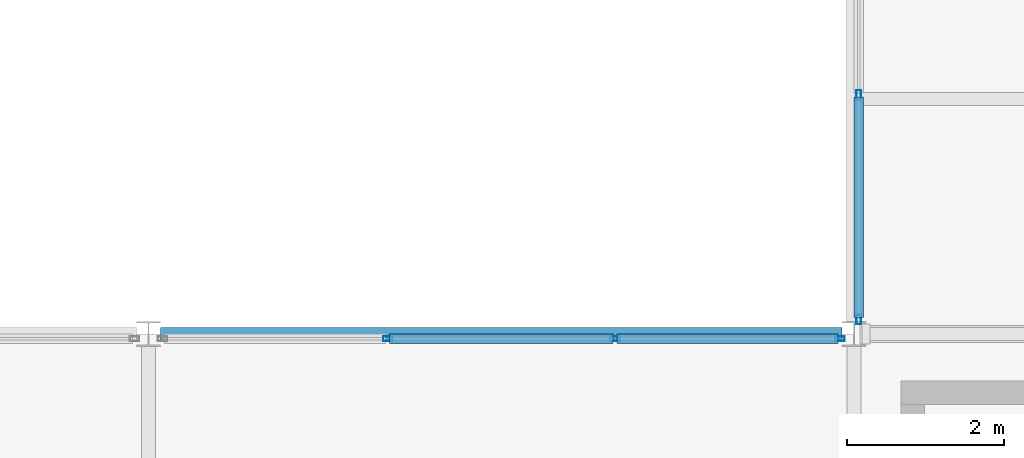
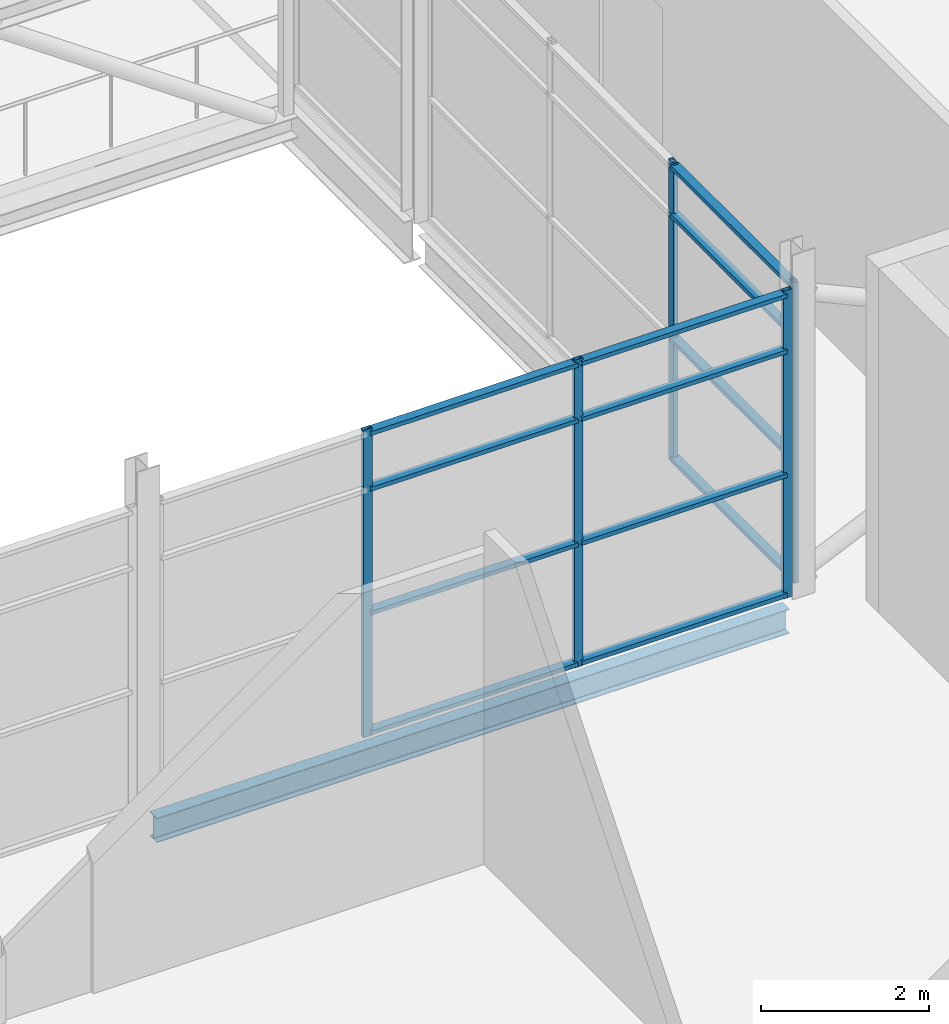
# One storey, part 41 of 94: 17 members, 1 beam, 2 elements without a shape of their own.
"""IFC4 building model written with IfcOpenShell, lengths in metres."""

from ifc_helpers import new_model, si_unit, direction, frame, origin, origin_2d, place, context, subcontext, project, spatial, hollow_rectangle, i_section, extrude, material, layer, layer_set, material_profile, profile_set, type_object, element, aggregate, save


model = new_model("IFC4")

# Units and contexts
model_context = context("Model", 3, precision=1e-05, world=origin(), true_north=direction((0.0, 1.0)))
body_context = subcontext(model_context, "Body", "Model", "MODEL_VIEW")
ifc_project = project(units=[si_unit("LENGTHUNIT", "METRE"), si_unit("AREAUNIT", "SQUARE_METRE"), si_unit("VOLUMEUNIT", "CUBIC_METRE"), si_unit("PLANEANGLEUNIT", "RADIAN"), si_unit("MASSUNIT", "GRAM", prefix="KILO")], contexts=[model_context])

# Site, building, storey
site_placement = place(None, origin())
site = spatial("IfcSite", under=ifc_project, at=site_placement, CompositionType="ELEMENT")
building_placement = place(site_placement, origin())
building = spatial("IfcBuilding", under=site, at=building_placement, Name="Shorebreak Coast Museum", CompositionType="ELEMENT")
storey_placement = place(building_placement, frame((0.0, 0.0, 31.0)))
storey = spatial("IfcBuildingStorey", under=building, at=storey_placement, Name="L05", CompositionType="ELEMENT", Elevation=31.0)

# Beam
ifc_material_1 = material(Name="Steel Grade 300", Category="steel")
ifc_material_profile_1 = material_profile(ifc_material_1, i_section(OverallWidth=0.1708984375, OverallDepth=0.355712890625, WebThickness=0.00732421875, FlangeThickness=0.011474609375, FilletRadius=0.011474609375, at=origin_2d()), Name="360UB50.7")
ifc_profile_set_1 = profile_set([ifc_material_profile_1], Name="Steel Grade 300")
beam_type = type_object("IfcBeamType", Name="Floor girder east-west 360UB50.7", PredefinedType="BEAM", material=ifc_profile_set_1)
beam_placement = place(storey_placement, frame((99.153564453125, 63.0, -0.352783203125), z_axis=(1.0, 0.0, 0.0), x_axis=(0.0, 1.0, 0.0)))
element("IfcBeam", 1, at=beam_placement, inside=storey, type_object=beam_type, Name="Floor girder east-west L05 12H", PredefinedType="BEAM", context=body_context, shape_type="SweptSolid", body=[
    extrude(i_section(OverallWidth=0.1708984375, OverallDepth=0.355712890625, WebThickness=0.00732421875, FlangeThickness=0.011474609375, FilletRadius=0.011474609375, at=origin_2d()), origin(), (0.0, 0.0, 1.0), 8.69287109375),
])

# Curtain wall, members
ifc_material_2 = material(Name="Aluminium", Category="aluminium")
ifc_layer = layer(ifc_material_2, 0.1201171875)
ifc_layer_set = layer_set([ifc_layer], Name="Aluminium")
curtain_wall_type = type_object("IfcCurtainWallType", Name="Atrium fire screen", PredefinedType="NOTDEFINED", material=ifc_layer_set)
curtain_wall_1_placement = place(storey_placement, origin())
curtain_wall_1 = element("IfcCurtainWall", 2, at=curtain_wall_1_placement, inside=storey, type_object=curtain_wall_type, Name="Atrium screen L05 S 67", PredefinedType="NOTDEFINED")
ifc_material_3 = material(Name="Aluminium", Category="aluminium")
ifc_material_profile_2 = material_profile(ifc_material_3, hollow_rectangle(XDim=0.06005859375, YDim=0.1201171875, WallThickness=0.00341796875, at=origin_2d()), Name="AL 120x60 RHS")
ifc_profile_set_2 = profile_set([ifc_material_profile_2], Name="Aluminium")
member_type_1 = type_object("IfcMemberType", Name="Screen mullion 50 x 120", PredefinedType="MULLION", material=ifc_profile_set_2)
member_1_placement = place(storey_placement, frame((102.05126953125, 62.93994140625, 0.0), z_axis=(0.0, 0.0, 1.0), x_axis=(0.0, 1.0, 0.0)))
member_1 = element("IfcMember", 3, at=member_1_placement, type_object=member_type_1, Name="CW5 mullion 2", PredefinedType="MULLION", context=body_context, shape_type="SweptSolid", body=[
    extrude(hollow_rectangle(XDim=0.06005859375, YDim=0.1201171875, WallThickness=0.00341796875, at=origin_2d()), origin(), (0.0, 0.0, 1.0), 4.469482421875),
])
member_2_placement = place(storey_placement, frame((104.94873046875, 62.93994140625, 0.0), z_axis=(0.0, 0.0, 1.0), x_axis=(0.0, 1.0, 0.0)))
member_2 = element("IfcMember", 4, at=member_2_placement, type_object=member_type_1, Name="CW5 mullion 3", PredefinedType="MULLION", context=body_context, shape_type="SweptSolid", body=[
    extrude(hollow_rectangle(XDim=0.06005859375, YDim=0.1201171875, WallThickness=0.00341796875, at=origin_2d()), origin(), (0.0, 0.0, 1.0), 4.469482421875),
])
member_3_placement = place(storey_placement, frame((107.821533203125, 62.93994140625, 0.0), z_axis=(0.0, 0.0, 1.0), x_axis=(0.0, 1.0, 0.0)))
member_3 = element("IfcMember", 5, at=member_3_placement, type_object=member_type_1, Name="CW5 mullion 4", PredefinedType="MULLION", context=body_context, shape_type="SweptSolid", body=[
    extrude(hollow_rectangle(XDim=0.06005859375, YDim=0.1201171875, WallThickness=0.00341796875, at=origin_2d()), origin(), (0.0, 0.0, 1.0), 4.469482421875),
])

curtain_wall_2_placement = place(storey_placement, origin())
curtain_wall_2 = element("IfcCurtainWall", 6, at=curtain_wall_2_placement, inside=storey, type_object=curtain_wall_type, Name="Atrium screen L05 E 76", PredefinedType="NOTDEFINED")
member_4_placement = place(storey_placement, frame((108.06005859375, 63.182373046875, 0.0), z_axis=(0.0, 0.0, 1.0), x_axis=(-1.0, 0.0, 0.0)))
member_4 = element("IfcMember", 7, at=member_4_placement, type_object=member_type_1, Name="CW5 mullion 1", PredefinedType="MULLION", context=body_context, shape_type="SweptSolid", body=[
    extrude(hollow_rectangle(XDim=0.06005859375, YDim=0.1201171875, WallThickness=0.00341796875, at=origin_2d()), origin(), (0.0, 0.0, 1.0), 4.364501953125),
])
member_5_placement = place(storey_placement, frame((108.06005859375, 66.05029296875, 0.0), z_axis=(0.0, 0.0, 1.0), x_axis=(-1.0, 0.0, 0.0)))
member_5 = element("IfcMember", 8, at=member_5_placement, type_object=member_type_1, Name="CW5 mullion 2", PredefinedType="MULLION", context=body_context, shape_type="SweptSolid", body=[
    extrude(hollow_rectangle(XDim=0.06005859375, YDim=0.1201171875, WallThickness=0.00341796875, at=origin_2d()), origin(), (0.0, 0.0, 1.0), 4.364501953125),
])

# Member
ifc_material_4 = material(Name="Aluminium", Category="aluminium")
ifc_material_profile_3 = material_profile(ifc_material_4, hollow_rectangle(XDim=0.1201171875, YDim=0.06005859375, WallThickness=0.00341796875, at=origin_2d()), Name="AL 60x120 RHS")
ifc_profile_set_3 = profile_set([ifc_material_profile_3], Name="Aluminium")
member_type_2 = type_object("IfcMemberType", Name="Screen transom 120 x 50", PredefinedType="USERDEFINED", material=ifc_profile_set_3)
member_6_placement = place(storey_placement, frame((102.076171875, 62.93994140625, 0.06005859375), z_axis=(1.0, 0.0, 0.0), x_axis=(0.0, 1.0, 0.0)))
member_6 = element("IfcMember", 9, at=member_6_placement, type_object=member_type_2, Name="CW5 transom 2.1", ObjectType="TRANSOM", PredefinedType="USERDEFINED", context=body_context, shape_type="SweptSolid", body=[
    extrude(hollow_rectangle(XDim=0.1201171875, YDim=0.06005859375, WallThickness=0.00341796875, at=origin_2d()), origin(), (0.0, 0.0, 1.0), 2.84765625),
])

member_7_placement = place(storey_placement, frame((102.076171875, 62.93994140625, 1.800048828125), z_axis=(1.0, 0.0, 0.0), x_axis=(0.0, 1.0, 0.0)))
member_7 = element("IfcMember", 10, at=member_7_placement, type_object=member_type_2, Name="CW5 transom 2.2", ObjectType="TRANSOM", PredefinedType="USERDEFINED", context=body_context, shape_type="SweptSolid", body=[
    extrude(hollow_rectangle(XDim=0.1201171875, YDim=0.06005859375, WallThickness=0.00341796875, at=origin_2d()), origin(), (0.0, 0.0, 1.0), 2.84765625),
])

member_8_placement = place(storey_placement, frame((102.076171875, 62.93994140625, 3.60009765625), z_axis=(1.0, 0.0, 0.0), x_axis=(0.0, 1.0, 0.0)))
member_8 = element("IfcMember", 11, at=member_8_placement, type_object=member_type_2, Name="CW5 transom 2.3", ObjectType="TRANSOM", PredefinedType="USERDEFINED", context=body_context, shape_type="SweptSolid", body=[
    extrude(hollow_rectangle(XDim=0.1201171875, YDim=0.06005859375, WallThickness=0.00341796875, at=origin_2d()), origin(), (0.0, 0.0, 1.0), 2.84765625),
])

member_9_placement = place(storey_placement, frame((102.076171875, 62.93994140625, 4.409423828125), z_axis=(1.0, 0.0, 0.0), x_axis=(0.0, 1.0, 0.0)))
member_9 = element("IfcMember", 12, at=member_9_placement, type_object=member_type_2, Name="CW5 transom 2.4", ObjectType="TRANSOM", PredefinedType="USERDEFINED", context=body_context, shape_type="SweptSolid", body=[
    extrude(hollow_rectangle(XDim=0.1201171875, YDim=0.06005859375, WallThickness=0.00341796875, at=origin_2d()), origin(), (0.0, 0.0, 1.0), 2.84765625),
])

member_10_placement = place(storey_placement, frame((104.973876953125, 62.93994140625, 0.06005859375), z_axis=(1.0, 0.0, 0.0), x_axis=(0.0, 1.0, 0.0)))
member_10 = element("IfcMember", 13, at=member_10_placement, type_object=member_type_2, Name="CW5 transom 3.1", ObjectType="TRANSOM", PredefinedType="USERDEFINED", context=body_context, shape_type="SweptSolid", body=[
    extrude(hollow_rectangle(XDim=0.1201171875, YDim=0.06005859375, WallThickness=0.00341796875, at=origin_2d()), origin(), (0.0, 0.0, 1.0), 2.822509765625),
])

member_11_placement = place(storey_placement, frame((104.973876953125, 62.93994140625, 1.800048828125), z_axis=(1.0, 0.0, 0.0), x_axis=(0.0, 1.0, 0.0)))
member_11 = element("IfcMember", 14, at=member_11_placement, type_object=member_type_2, Name="CW5 transom 3.2", ObjectType="TRANSOM", PredefinedType="USERDEFINED", context=body_context, shape_type="SweptSolid", body=[
    extrude(hollow_rectangle(XDim=0.1201171875, YDim=0.06005859375, WallThickness=0.00341796875, at=origin_2d()), origin(), (0.0, 0.0, 1.0), 2.822509765625),
])

member_12_placement = place(storey_placement, frame((104.973876953125, 62.93994140625, 3.60009765625), z_axis=(1.0, 0.0, 0.0), x_axis=(0.0, 1.0, 0.0)))
member_12 = element("IfcMember", 15, at=member_12_placement, type_object=member_type_2, Name="CW5 transom 3.3", ObjectType="TRANSOM", PredefinedType="USERDEFINED", context=body_context, shape_type="SweptSolid", body=[
    extrude(hollow_rectangle(XDim=0.1201171875, YDim=0.06005859375, WallThickness=0.00341796875, at=origin_2d()), origin(), (0.0, 0.0, 1.0), 2.822509765625),
])

member_13_placement = place(storey_placement, frame((104.973876953125, 62.93994140625, 4.409423828125), z_axis=(1.0, 0.0, 0.0), x_axis=(0.0, 1.0, 0.0)))
member_13 = element("IfcMember", 16, at=member_13_placement, type_object=member_type_2, Name="CW5 transom 3.4", ObjectType="TRANSOM", PredefinedType="USERDEFINED", context=body_context, shape_type="SweptSolid", body=[
    extrude(hollow_rectangle(XDim=0.1201171875, YDim=0.06005859375, WallThickness=0.00341796875, at=origin_2d()), origin(), (0.0, 0.0, 1.0), 2.822509765625),
])

aggregate(curtain_wall_1, [member_1, member_2, member_3, member_6, member_7, member_8, member_9, member_10, member_11, member_12, member_13])

member_14_placement = place(storey_placement, frame((108.06005859375, 63.207275390625, 0.06005859375), z_axis=(0.0, 1.0, 0.0), x_axis=(-1.0, 0.0, 0.0)))
member_14 = element("IfcMember", 17, at=member_14_placement, type_object=member_type_2, Name="CW5 transom 1.1", ObjectType="TRANSOM", PredefinedType="USERDEFINED", context=body_context, shape_type="SweptSolid", body=[
    extrude(hollow_rectangle(XDim=0.1201171875, YDim=0.06005859375, WallThickness=0.00341796875, at=origin_2d()), origin(), (0.0, 0.0, 1.0), 2.818115234375),
])

member_15_placement = place(storey_placement, frame((108.06005859375, 63.207275390625, 1.800048828125), z_axis=(0.0, 1.0, 0.0), x_axis=(-1.0, 0.0, 0.0)))
member_15 = element("IfcMember", 18, at=member_15_placement, type_object=member_type_2, Name="CW5 transom 1.2", ObjectType="TRANSOM", PredefinedType="USERDEFINED", context=body_context, shape_type="SweptSolid", body=[
    extrude(hollow_rectangle(XDim=0.1201171875, YDim=0.06005859375, WallThickness=0.00341796875, at=origin_2d()), origin(), (0.0, 0.0, 1.0), 2.818115234375),
])

member_16_placement = place(storey_placement, frame((108.06005859375, 63.207275390625, 3.60009765625), z_axis=(0.0, 1.0, 0.0), x_axis=(-1.0, 0.0, 0.0)))
member_16 = element("IfcMember", 19, at=member_16_placement, type_object=member_type_2, Name="CW5 transom 1.3", ObjectType="TRANSOM", PredefinedType="USERDEFINED", context=body_context, shape_type="SweptSolid", body=[
    extrude(hollow_rectangle(XDim=0.1201171875, YDim=0.06005859375, WallThickness=0.00341796875, at=origin_2d()), origin(), (0.0, 0.0, 1.0), 2.818115234375),
])

member_17_placement = place(storey_placement, frame((108.06005859375, 63.207275390625, 4.3046875), z_axis=(0.0, 1.0, 0.0), x_axis=(-1.0, 0.0, 0.0)))
member_17 = element("IfcMember", 20, at=member_17_placement, type_object=member_type_2, Name="CW5 transom 1.4", ObjectType="TRANSOM", PredefinedType="USERDEFINED", context=body_context, shape_type="SweptSolid", body=[
    extrude(hollow_rectangle(XDim=0.1201171875, YDim=0.06005859375, WallThickness=0.00341796875, at=origin_2d()), origin(), (0.0, 0.0, 1.0), 2.818115234375),
])

aggregate(curtain_wall_2, [member_4, member_5, member_14, member_15, member_16, member_17])

save(model, "model.ifc")
